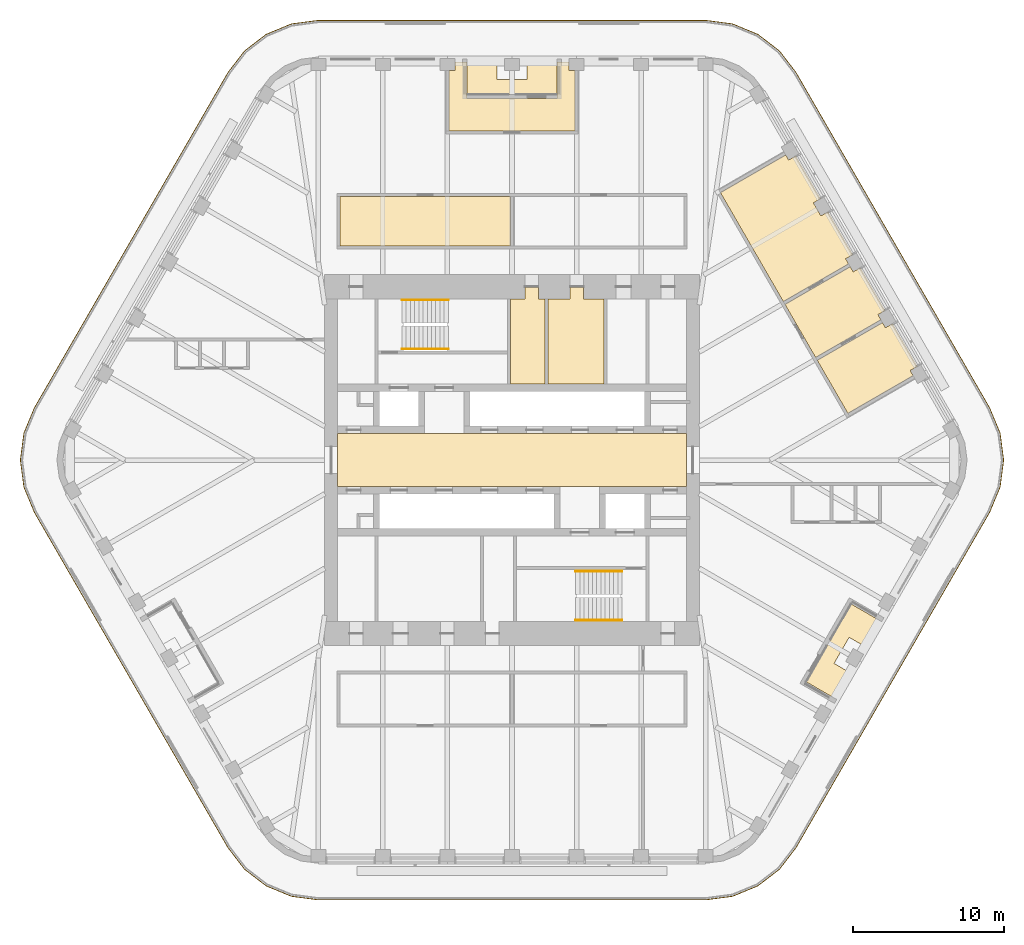
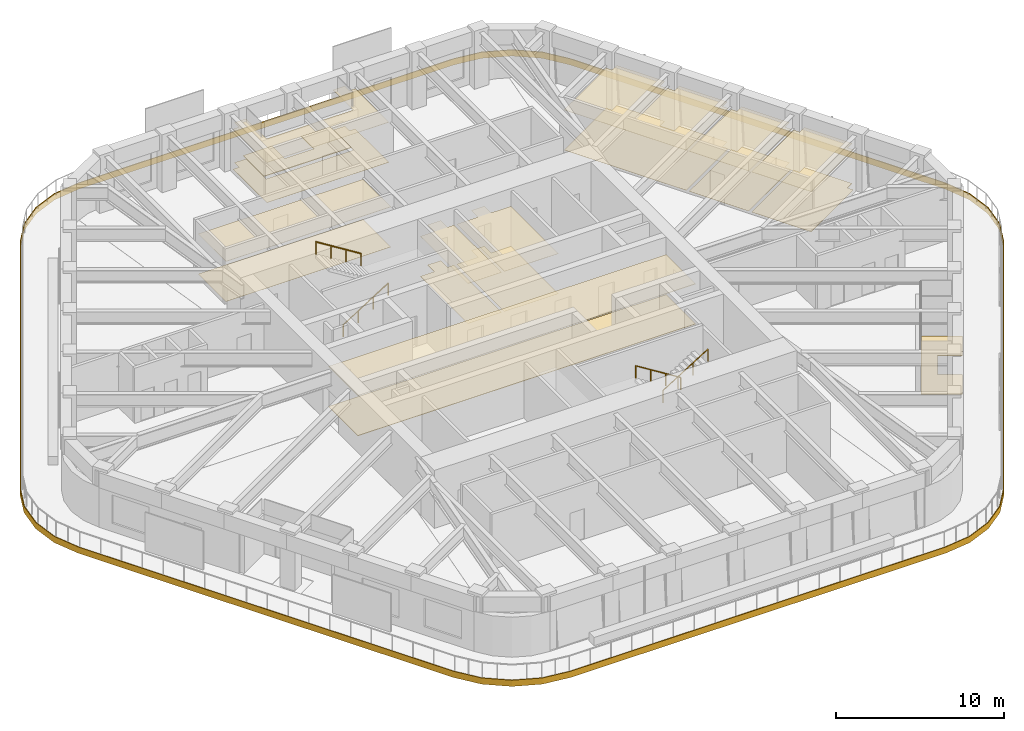
# One storey, part 18 of 19: 11 coverings, 4 railings.
"""IFC4 building model written with IfcOpenShell, lengths in metres."""

from ifc_helpers import new_model, si_unit, direction, frame, origin, origin_2d, place, context, subcontext, project, spatial, polyline, circle, outline, extrude, material, layer, layer_set, type_object, element, save


model = new_model("IFC4")

# Units and contexts
model_context = context("Model", 3, precision=1e-05, world=origin(), true_north=direction((0.0, 1.0)))
body_context = subcontext(model_context, "Body", "Model", "MODEL_VIEW")
ifc_project = project(units=[si_unit("LENGTHUNIT", "METRE"), si_unit("AREAUNIT", "SQUARE_METRE"), si_unit("VOLUMEUNIT", "CUBIC_METRE"), si_unit("PLANEANGLEUNIT", "RADIAN"), si_unit("MASSUNIT", "GRAM", prefix="KILO")], contexts=[model_context])

# Site, building, storey
site_placement = place(None, origin())
site = spatial("IfcSite", under=ifc_project, at=site_placement, CompositionType="ELEMENT")
building_placement = place(site_placement, origin())
building = spatial("IfcBuilding", under=site, at=building_placement, Name="Tarfa Lantern Tower", CompositionType="ELEMENT")
storey_placement = place(building_placement, frame((0.0, 0.0, 340.89990234375)))
storey = spatial("IfcBuildingStorey", under=building, at=storey_placement, Name="L77", CompositionType="ELEMENT", Elevation=340.89990234375)

# Coverings
ifc_material_1 = material(Name="Mineral fibre acoustic tile on suspension grid", Category="finish")
ifc_layer_1 = layer(ifc_material_1, 0.02001953125)
ifc_layer_set_1 = layer_set([ifc_layer_1], Name="CL1 ACOUSTIC TILE CEILING 20")
covering_type_1 = type_object("IfcCoveringType", Name="CL1 ACOUSTIC TILE CEILING 20", PredefinedType="CEILING", material=ifc_layer_set_1)
covering_1_placement = place(storey_placement, frame((0.0, 0.0, 2.900146484375)))
element("IfcCovering", 1, at=covering_1_placement, inside=storey, type_object=covering_type_1, Name="Ceiling L77 CL1", PredefinedType="CEILING", context=body_context, shape_type="SweptSolid", body=[
    extrude(outline(polyline([(18.106689453125, 10.33837890625), (22.436767578125, 12.83837890625), (22.63671875, 12.491943359375), (23.113037109375, 12.76708984375), (24.754150390625, 9.924560546875), (24.27783203125, 9.649658203125), (24.477783203125, 9.30322265625), (20.147705078125, 6.80322265625), (18.106689453125, 10.33837890625)])), origin(), (0.0, 0.0, 1.0), 0.02001953125),
    extrude(outline(polyline([(13.82470703125, 17.755126953125), (18.15478515625, 20.255126953125), (18.354736328125, 19.90869140625), (18.8310546875, 20.18359375), (20.47216796875, 17.34130859375), (19.995849609375, 17.06640625), (20.495849609375, 16.200439453125), (20.97216796875, 16.475341796875), (22.613037109375, 13.633056640625), (22.13671875, 13.35791015625), (22.336669921875, 13.01171875), (18.006591796875, 10.51171875), (13.82470703125, 17.755126953125)])), origin(), (0.0, 0.0, 1.0), 0.02001953125),
    extrude(outline(polyline([(-11.39990234375, 17.5), (-0.10009765625, 17.5), (-0.10009765625, 14.199951171875), (-11.39990234375, 14.199951171875), (-11.39990234375, 17.5)])), origin(), (0.0, 0.0, 1.0), 0.02001953125),
    extrude(outline(polyline([(4.18212890625, 21.85009765625), (-4.18212890625, 21.85009765625), (-4.18212890625, 25.85009765625), (-3.781982421875, 25.85009765625), (-3.781982421875, 26.39990234375), (-2.98193359375, 26.39990234375), (-2.98193359375, 24.0), (2.98193359375, 24.0), (2.98193359375, 26.39990234375), (3.781982421875, 26.39990234375), (3.781982421875, 25.85009765625), (4.18212890625, 25.85009765625), (4.18212890625, 21.85009765625)])), origin(), (0.0, 0.0, 1.0), 0.02001953125),
    extrude(outline(polyline([(20.24755859375, 6.630126953125), (24.577880859375, 9.130126953125), (24.77783203125, 8.78369140625), (25.254150390625, 9.05859375), (26.89501953125, 6.21630859375), (26.418701171875, 5.94140625), (26.61865234375, 5.594970703125), (22.28857421875, 3.094970703125), (20.24755859375, 6.630126953125)])), origin(), (0.0, 0.0, 1.0), 0.02001953125),
])
ifc_material_2 = material(Name="Moisture-resistant plasterboard", Category="finish")
ifc_layer_2 = layer(ifc_material_2, 0.014892578125)
ifc_layer_set_2 = layer_set([ifc_layer_2], Name="CL2 MOISTURE-RESISTANT PLASTERBOARD CEILING 15")
covering_type_2 = type_object("IfcCoveringType", Name="CL2 MOISTURE-RESISTANT PLASTERBOARD CEILING 15", PredefinedType="CEILING", material=ifc_layer_set_2)
covering_2_placement = place(storey_placement, frame((0.0, 0.0, 2.900146484375)))
element("IfcCovering", 2, at=covering_2_placement, inside=storey, type_object=covering_type_2, Name="Ceiling L77-05", PredefinedType="CEILING", context=body_context, shape_type="SweptSolid", body=[
    extrude(outline(polyline([(0.85009765625, 10.699951171875), (-0.10009765625, 10.699951171875), (-0.10009765625, 5.050048828125), (2.199951171875, 5.050048828125), (2.199951171875, 10.699951171875), (1.75, 10.699951171875), (1.75, 11.5), (0.85009765625, 11.5), (0.85009765625, 10.699951171875)])), origin(), (0.0, 0.0, 1.0), 0.014892578125),
])
covering_3_placement = place(storey_placement, frame((0.0, 0.0, 2.900146484375)))
element("IfcCovering", 3, at=covering_3_placement, inside=storey, type_object=covering_type_2, Name="Ceiling L77-06", PredefinedType="CEILING", context=body_context, shape_type="SweptSolid", body=[
    extrude(outline(polyline([(2.39990234375, 5.050048828125), (6.10009765625, 5.050048828125), (6.10009765625, 10.699951171875), (4.75, 10.699951171875), (4.75, 11.5), (3.85009765625, 11.5), (3.85009765625, 10.699951171875), (2.39990234375, 10.699951171875), (2.39990234375, 5.050048828125)])), origin(), (0.0, 0.0, 1.0), 0.014892578125),
])
ifc_material_3 = material(Name="Powder-coated aluminium panel", Category="aluminium")
ifc_layer_3 = layer(ifc_material_3, 0.030029296875)
ifc_layer_set_3 = layer_set([ifc_layer_3], Name="CL3 METAL PANEL CEILING 30")
covering_type_3 = type_object("IfcCoveringType", Name="CL3 METAL PANEL CEILING 30", PredefinedType="CEILING", material=ifc_layer_set_3)
covering_4_placement = place(storey_placement, frame((0.0, 0.0, 2.900146484375)))
element("IfcCovering", 4, at=covering_4_placement, inside=storey, type_object=covering_type_3, Name="Ceiling L77-01", PredefinedType="CEILING", context=body_context, shape_type="SweptSolid", body=[
    extrude(outline(polyline([(-11.574951171875, -1.75), (11.574951171875, -1.75), (11.574951171875, 1.75), (-11.574951171875, 1.75), (-11.574951171875, -1.75)])), origin(), (0.0, 0.0, 1.0), 0.030029296875),
])
ifc_material_4 = material(Name="Nylon carpet tile", Category="finish")
ifc_layer_4 = layer(ifc_material_4, 0.010009765625)
ifc_layer_set_4 = layer_set([ifc_layer_4], Name="FL1 CARPET TILE 10")
covering_type_4 = type_object("IfcCoveringType", Name="FL1 CARPET TILE 10", PredefinedType="FLOORING", material=ifc_layer_set_4)
covering_5_placement = place(storey_placement, origin())
element("IfcCovering", 5, at=covering_5_placement, inside=storey, type_object=covering_type_4, Name="Floor finish L77 FL1", PredefinedType="FLOORING", context=body_context, shape_type="SweptSolid", body=[
    extrude(outline(polyline([(18.106689453125, 10.33837890625), (22.436767578125, 12.83837890625), (22.63671875, 12.491943359375), (23.113037109375, 12.76708984375), (24.754150390625, 9.924560546875), (24.27783203125, 9.649658203125), (24.477783203125, 9.30322265625), (20.147705078125, 6.80322265625), (18.106689453125, 10.33837890625)])), origin(), (0.0, 0.0, 1.0), 0.010009765625),
    extrude(outline(polyline([(13.82470703125, 17.755126953125), (18.15478515625, 20.255126953125), (18.354736328125, 19.90869140625), (18.8310546875, 20.18359375), (20.47216796875, 17.34130859375), (19.995849609375, 17.06640625), (20.495849609375, 16.200439453125), (20.97216796875, 16.475341796875), (22.613037109375, 13.633056640625), (22.13671875, 13.35791015625), (22.336669921875, 13.01171875), (18.006591796875, 10.51171875), (13.82470703125, 17.755126953125)])), origin(), (0.0, 0.0, 1.0), 0.010009765625),
    extrude(outline(polyline([(-11.39990234375, 17.5), (-0.10009765625, 17.5), (-0.10009765625, 14.199951171875), (-11.39990234375, 14.199951171875), (-11.39990234375, 17.5)])), origin(), (0.0, 0.0, 1.0), 0.010009765625),
    extrude(outline(polyline([(4.18212890625, 21.85009765625), (-4.18212890625, 21.85009765625), (-4.18212890625, 25.85009765625), (-3.781982421875, 25.85009765625), (-3.781982421875, 26.39990234375), (-2.98193359375, 26.39990234375), (-2.98193359375, 24.0), (2.98193359375, 24.0), (2.98193359375, 26.39990234375), (3.781982421875, 26.39990234375), (3.781982421875, 25.85009765625), (4.18212890625, 25.85009765625), (4.18212890625, 21.85009765625)])), origin(), (0.0, 0.0, 1.0), 0.010009765625),
    extrude(outline(polyline([(20.24755859375, 6.630126953125), (24.577880859375, 9.130126953125), (24.77783203125, 8.78369140625), (25.254150390625, 9.05859375), (26.89501953125, 6.21630859375), (26.418701171875, 5.94140625), (26.61865234375, 5.594970703125), (22.28857421875, 3.094970703125), (20.24755859375, 6.630126953125)])), origin(), (0.0, 0.0, 1.0), 0.010009765625),
])
ifc_material_5 = material(Name="Honed limestone flooring", Category="masonry")
ifc_layer_5 = layer(ifc_material_5, 0.030029296875)
ifc_layer_set_5 = layer_set([ifc_layer_5], Name="FL2 STONE FLOORING 30")
covering_type_5 = type_object("IfcCoveringType", Name="FL2 STONE FLOORING 30", PredefinedType="FLOORING", material=ifc_layer_set_5)
covering_6_placement = place(storey_placement, origin())
element("IfcCovering", 6, at=covering_6_placement, inside=storey, type_object=covering_type_5, Name="Floor finish L77-01", PredefinedType="FLOORING", context=body_context, shape_type="SweptSolid", body=[
    extrude(outline(polyline([(-11.574951171875, -1.75), (11.574951171875, -1.75), (11.574951171875, 1.75), (-11.574951171875, 1.75), (-11.574951171875, -1.75)])), origin(), (0.0, 0.0, 1.0), 0.030029296875),
])
ifc_material_6 = material(Name="Porcelain floor tile", Category="finish")
ifc_layer_6 = layer(ifc_material_6, 0.011962890625)
ifc_layer_set_6 = layer_set([ifc_layer_6], Name="FL3 CERAMIC TILE 12")
covering_type_6 = type_object("IfcCoveringType", Name="FL3 CERAMIC TILE 12", PredefinedType="FLOORING", material=ifc_layer_set_6)
covering_7_placement = place(storey_placement, origin())
element("IfcCovering", 7, at=covering_7_placement, inside=storey, type_object=covering_type_6, Name="Floor finish L77-05", PredefinedType="FLOORING", context=body_context, shape_type="SweptSolid", body=[
    extrude(outline(polyline([(0.85009765625, 10.699951171875), (-0.10009765625, 10.699951171875), (-0.10009765625, 5.050048828125), (2.199951171875, 5.050048828125), (2.199951171875, 10.699951171875), (1.75, 10.699951171875), (1.75, 11.5), (0.85009765625, 11.5), (0.85009765625, 10.699951171875)])), origin(), (0.0, 0.0, 1.0), 0.01220703125),
])
covering_8_placement = place(storey_placement, origin())
element("IfcCovering", 8, at=covering_8_placement, inside=storey, type_object=covering_type_6, Name="Floor finish L77-06", PredefinedType="FLOORING", context=body_context, shape_type="SweptSolid", body=[
    extrude(outline(polyline([(2.39990234375, 5.050048828125), (6.10009765625, 5.050048828125), (6.10009765625, 10.699951171875), (4.75, 10.699951171875), (4.75, 11.5), (3.85009765625, 11.5), (3.85009765625, 10.699951171875), (2.39990234375, 10.699951171875), (2.39990234375, 5.050048828125)])), origin(), (0.0, 0.0, 1.0), 0.01220703125),
])

# Railings
ifc_material_7 = material(Name="Stainless steel", Category="steel")
railing_type = type_object("IfcRailingType", Name="HR1 HANDRAIL 900", PredefinedType="HANDRAIL", material=ifc_material_7)
railing_1_placement = place(storey_placement, frame((-7.300048828125, 7.3798828125, 0.175048828125)))
element("IfcRailing", 9, at=railing_1_placement, inside=storey, type_object=railing_type, Name="Handrail 1", PredefinedType="HANDRAIL", context=body_context, shape_type="SweptSolid", body=[
    extrude(circle(Radius=0.02392578125, at=origin_2d()), frame((0.0, 0.0, 0.8759765625), z_axis=(0.847998304005, 0.0, 0.529998940003), x_axis=(0.0, 1.0, 0.0)), (0.0, 0.0, 1.0), 3.632080078125),
    extrude(circle(Radius=0.02099609375, at=origin_2d()), frame((0.0, 0.0, 0.0), z_axis=(0.0, 0.0, 1.0), x_axis=(0.0, 1.0, 0.0)), (0.0, 0.0, 1.0), 0.851806640625),
    extrude(circle(Radius=0.02099609375, at=origin_2d()), frame((1.026611328125, 0.0, 0.6416015625), z_axis=(0.0, 0.0, 1.0), x_axis=(0.0, 1.0, 0.0)), (0.0, 0.0, 1.0), 0.851806640625),
    extrude(circle(Radius=0.02099609375, at=origin_2d()), frame((2.053466796875, 0.0, 1.283447265625), z_axis=(0.0, 0.0, 1.0), x_axis=(0.0, 1.0, 0.0)), (0.0, 0.0, 1.0), 0.851806640625),
    extrude(circle(Radius=0.02099609375, at=origin_2d()), frame((3.080078125, 0.0, 1.925048828125), z_axis=(0.0, 0.0, 1.0), x_axis=(0.0, 1.0, 0.0)), (0.0, 0.0, 1.0), 0.851806640625),
])
for number, where, name in (
    (10, (-4.219970703125, 10.6201171875, 2.275146484375), "Handrail 2"),
    (11, (7.300048828125, -7.3798828125, 0.175048828125), "Handrail 1"),
):
    element("IfcRailing", number, at=place(storey_placement, frame(where)), inside=storey, type_object=railing_type, Name=name, PredefinedType="HANDRAIL", context=body_context, shape_type="SweptSolid", body=[
        extrude(circle(Radius=0.02392578125, at=origin_2d()), frame((0.0, 0.0, 0.8759765625), z_axis=(-0.847998304005, 0.0, 0.529998940003), x_axis=(0.0, -1.0, 0.0)), (0.0, 0.0, 1.0), 3.632080078125),
        extrude(circle(Radius=0.02099609375, at=origin_2d()), frame((0.0, 0.0, 0.0), z_axis=(0.0, 0.0, 1.0), x_axis=(0.0, -1.0, 0.0)), (0.0, 0.0, 1.0), 0.851806640625),
        extrude(circle(Radius=0.02099609375, at=origin_2d()), frame((-1.026611328125, 0.0, 0.6416015625), z_axis=(0.0, 0.0, 1.0), x_axis=(0.0, -1.0, 0.0)), (0.0, 0.0, 1.0), 0.851806640625),
        extrude(circle(Radius=0.02099609375, at=origin_2d()), frame((-2.053466796875, 0.0, 1.283447265625), z_axis=(0.0, 0.0, 1.0), x_axis=(0.0, -1.0, 0.0)), (0.0, 0.0, 1.0), 0.851806640625),
        extrude(circle(Radius=0.02099609375, at=origin_2d()), frame((-3.080078125, 0.0, 1.925048828125), z_axis=(0.0, 0.0, 1.0), x_axis=(0.0, -1.0, 0.0)), (0.0, 0.0, 1.0), 0.851806640625),
    ])
railing_2_placement = place(storey_placement, frame((4.219970703125, -10.6201171875, 2.275146484375)))
element("IfcRailing", 12, at=railing_2_placement, inside=storey, type_object=railing_type, Name="Handrail 2", PredefinedType="HANDRAIL", context=body_context, shape_type="SweptSolid", body=[
    extrude(circle(Radius=0.02392578125, at=origin_2d()), frame((0.0, 0.0, 0.8759765625), z_axis=(0.847998304005, 0.0, 0.529998940003), x_axis=(0.0, 1.0, 0.0)), (0.0, 0.0, 1.0), 3.632080078125),
    extrude(circle(Radius=0.02099609375, at=origin_2d()), frame((0.0, 0.0, 0.0), z_axis=(0.0, 0.0, 1.0), x_axis=(0.0, 1.0, 0.0)), (0.0, 0.0, 1.0), 0.851806640625),
    extrude(circle(Radius=0.02099609375, at=origin_2d()), frame((1.026611328125, 0.0, 0.6416015625), z_axis=(0.0, 0.0, 1.0), x_axis=(0.0, 1.0, 0.0)), (0.0, 0.0, 1.0), 0.851806640625),
    extrude(circle(Radius=0.02099609375, at=origin_2d()), frame((2.053466796875, 0.0, 1.283447265625), z_axis=(0.0, 0.0, 1.0), x_axis=(0.0, 1.0, 0.0)), (0.0, 0.0, 1.0), 0.851806640625),
    extrude(circle(Radius=0.02099609375, at=origin_2d()), frame((3.080078125, 0.0, 1.925048828125), z_axis=(0.0, 0.0, 1.0), x_axis=(0.0, 1.0, 0.0)), (0.0, 0.0, 1.0), 0.851806640625),
])

# Coverings
ifc_material_8 = material(Name="Porcelain pavers on pedestals", Category="ceramic")
ifc_layer_7 = layer(ifc_material_8, 0.0400390625)
ifc_layer_set_7 = layer_set([ifc_layer_7], Name="LP1 LOGGIA PAVING 40")
covering_type_7 = type_object("IfcCoveringType", Name="LP1 LOGGIA PAVING 40", PredefinedType="FLOORING", material=ifc_layer_set_7)
covering_9_placement = place(storey_placement, origin())
element("IfcCovering", 13, at=covering_9_placement, inside=storey, type_object=covering_type_7, Name="Terrace paving N", PredefinedType="FLOORING", context=body_context, shape_type="SweptSolid", body=[
    extrude(outline(polyline([(2.98193359375, 26.75), (2.98193359375, 24.27001953125), (-2.98193359375, 24.27001953125), (-2.98193359375, 26.75), (-1.0, 26.75), (-1.0, 25.25), (1.0, 25.25), (1.0, 26.75), (2.98193359375, 26.75)])), origin(), (0.0, 0.0, 1.0), 0.0400390625),
])
covering_10_placement = place(storey_placement, origin())
element("IfcCovering", 14, at=covering_10_placement, inside=storey, type_object=covering_type_7, Name="Terrace paving SE", PredefinedType="FLOORING", context=body_context, shape_type="SweptSolid", body=[
    extrude(outline(polyline([(21.67529296875, -15.95751953125), (19.52734375, -14.717529296875), (22.509521484375, -9.552490234375), (24.6572265625, -10.79248046875), (23.666259765625, -12.509033203125), (22.3671875, -11.759033203125), (21.3671875, -13.490966796875), (22.666259765625, -14.240966796875), (21.67529296875, -15.95751953125)])), origin(), (0.0, 0.0, 1.0), 0.0400390625),
])
ifc_material_9 = material(Name="Limestone cladding on brackets", Category="masonry")
ifc_layer_8 = layer(ifc_material_9, 0.050048828125)
ifc_layer_set_8 = layer_set([ifc_layer_8], Name="SB1 STONE BAND CLADDING 50")
covering_type_8 = type_object("IfcCoveringType", Name="SB1 STONE BAND CLADDING 50", PredefinedType="CLADDING", material=ifc_layer_set_8)
covering_11_placement = place(storey_placement, frame((0.0, 0.0, -0.39990234375)))
element("IfcCovering", 15, at=covering_11_placement, inside=storey, type_object=covering_type_8, Name="Stone band", PredefinedType="CLADDING", context=body_context, shape_type="SweptSolid", body=[
    extrude(outline(polyline([(31.7109375, 3.47509765625), (18.864990234375, 25.72509765625), (17.760498046875, 27.164306640625), (16.321044921875, 28.268798828125), (14.644775390625, 28.963134765625), (12.845947265625, 29.199951171875), (-12.845947265625, 29.199951171875), (-14.644775390625, 28.963134765625), (-16.321044921875, 28.268798828125), (-17.760498046875, 27.164306640625), (-18.864990234375, 25.72509765625), (-31.7109375, 3.47509765625), (-32.4052734375, 1.798828125), (-32.64208984375, 0.0), (-32.4052734375, -1.798828125), (-31.7109375, -3.47509765625), (-18.864990234375, -25.72509765625), (-17.760498046875, -27.164306640625), (-16.321044921875, -28.268798828125), (-14.644775390625, -28.963134765625), (-12.845947265625, -29.199951171875), (12.845947265625, -29.199951171875), (14.644775390625, -28.963134765625), (16.321044921875, -28.268798828125), (17.760498046875, -27.164306640625), (18.864990234375, -25.72509765625), (31.7109375, -3.47509765625), (32.4052734375, -1.798828125), (32.64208984375, 0.0), (32.4052734375, 1.798828125), (31.7109375, 3.47509765625)]), holes=[polyline([(31.667724609375, 3.449951171875), (18.821533203125, 25.699951171875), (17.72509765625, 27.129150390625), (16.296142578125, 28.2255859375), (14.6318359375, 28.914794921875), (12.845947265625, 29.14990234375), (-12.845947265625, 29.14990234375), (-14.6318359375, 28.914794921875), (-16.296142578125, 28.2255859375), (-17.72509765625, 27.129150390625), (-18.821533203125, 25.699951171875), (-31.667724609375, 3.449951171875), (-32.35693359375, 1.785888671875), (-32.592041015625, 0.0), (-32.35693359375, -1.785888671875), (-31.667724609375, -3.449951171875), (-18.821533203125, -25.699951171875), (-17.72509765625, -27.129150390625), (-16.296142578125, -28.2255859375), (-14.6318359375, -28.914794921875), (-12.845947265625, -29.14990234375), (12.845947265625, -29.14990234375), (14.6318359375, -28.914794921875), (16.296142578125, -28.2255859375), (17.72509765625, -27.129150390625), (18.821533203125, -25.699951171875), (31.667724609375, -3.449951171875), (32.35693359375, -1.785888671875), (32.592041015625, 0.0), (32.35693359375, 1.785888671875), (31.667724609375, 3.449951171875)])]), origin(), (0.0, 0.0, 1.0), 0.449951171875),
])

save(model, "model.ifc")
